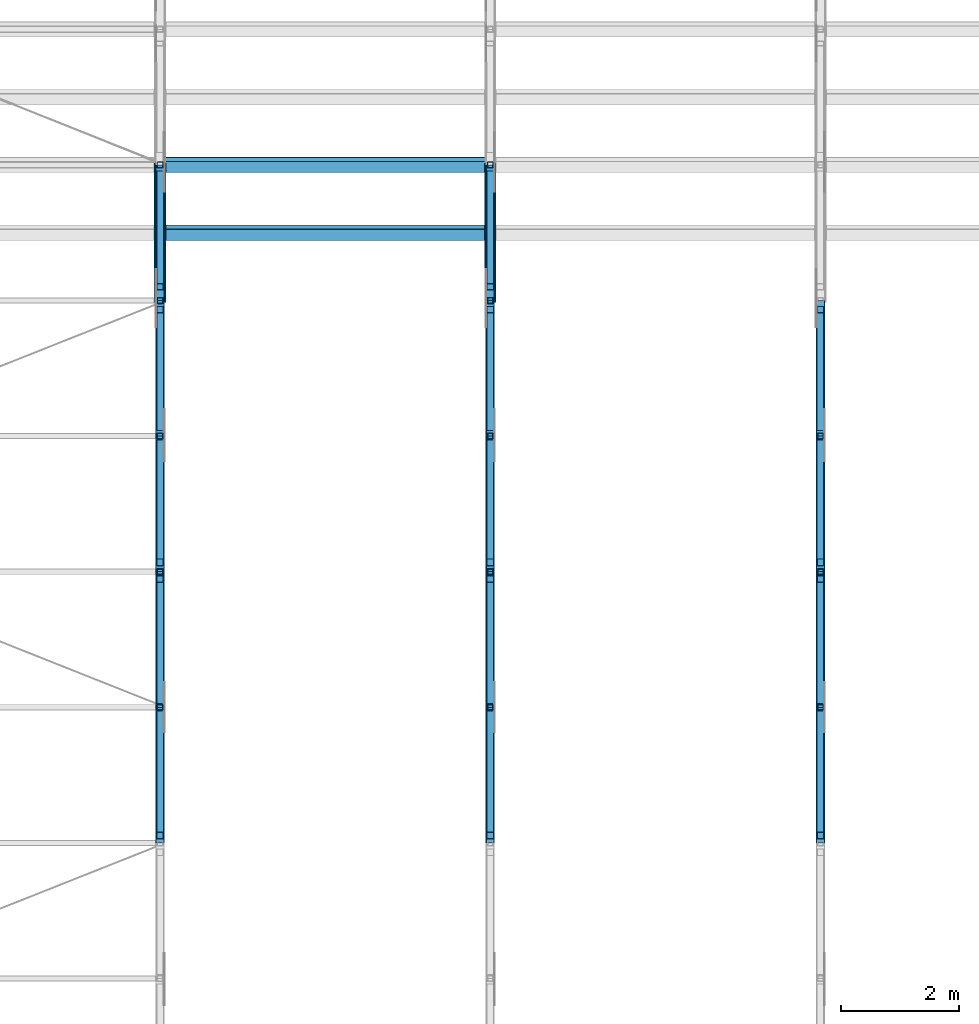
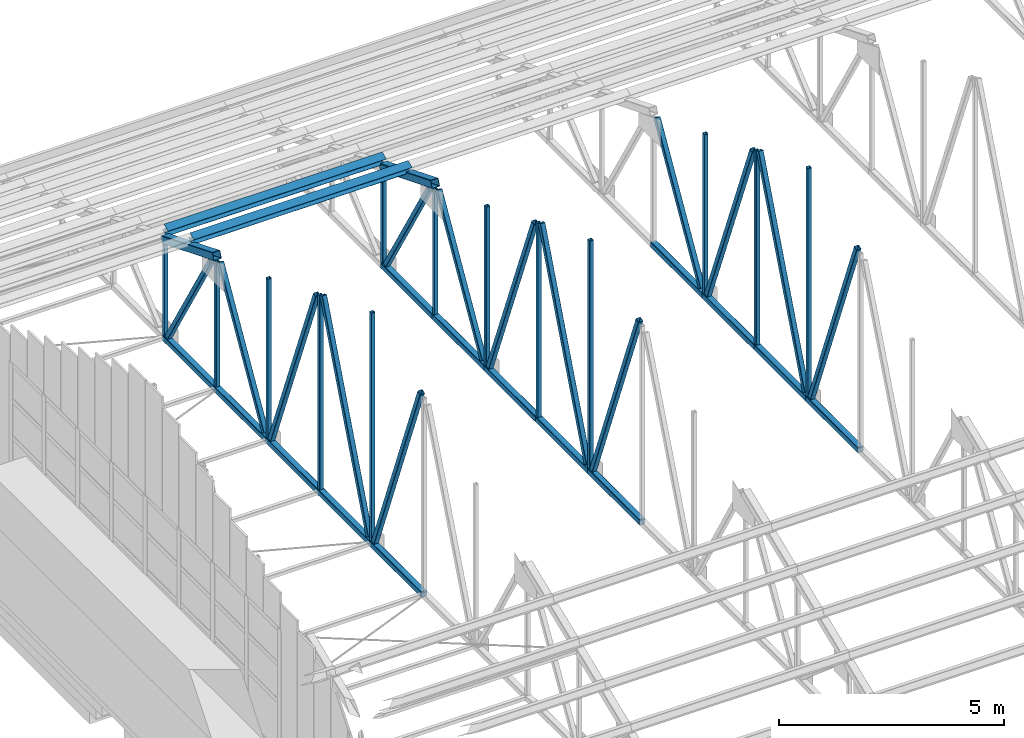
# One storey, part 12 of 71: 45 members.
"""IFC4 building model written with IfcOpenShell, lengths in metres."""

from ifc_helpers import new_model, si_unit, direction, frame, origin, origin_2d, place, context, subcontext, project, spatial, hollow_rectangle, i_section, extrude, material, material_profile, profile_set, type_object, element, save


model = new_model("IFC4")

# Units and contexts
model_context = context("Model", 3, precision=1e-05, world=origin(), true_north=direction((0.0, 1.0)))
body_context = subcontext(model_context, "Body", "Model", "MODEL_VIEW")
ifc_project = project(units=[si_unit("LENGTHUNIT", "METRE"), si_unit("AREAUNIT", "SQUARE_METRE"), si_unit("VOLUMEUNIT", "CUBIC_METRE"), si_unit("PLANEANGLEUNIT", "RADIAN"), si_unit("MASSUNIT", "GRAM", prefix="KILO")], contexts=[model_context])

# Site, building, storey
site_placement = place(None, origin())
site = spatial("IfcSite", under=ifc_project, at=site_placement, CompositionType="ELEMENT")
building_placement = place(site_placement, origin())
building = spatial("IfcBuilding", under=site, at=building_placement, Name="Wasatch Bagh Community Centre", CompositionType="ELEMENT")
storey_placement = place(building_placement, frame((0.0, 0.0, 12.60009765625)))
storey = spatial("IfcBuildingStorey", under=building, at=storey_placement, Name="L03", CompositionType="ELEMENT", Elevation=12.60009765625)

# Members
ifc_material_1 = material(Name="ASTM A500 Grade C steel", Category="steel")
ifc_material_profile_1 = material_profile(ifc_material_1, hollow_rectangle(XDim=0.1015625, YDim=0.1015625, WallThickness=0.005859375, InnerFilletRadius=0.005859375, OuterFilletRadius=0.01171875, at=origin_2d()), Name="HSS4x4x1/4")
ifc_profile_set_1 = profile_set([ifc_material_profile_1], Name="ASTM A500 Grade C steel")
member_type_1 = type_object("IfcMemberType", Name="SH HSS4x4x1/4 post", PredefinedType="POST", material=ifc_profile_set_1)
member_1_placement = place(storey_placement, frame((117.800048828125, 52.0, 0.76220703125), z_axis=(0.0, 0.0, 1.0), x_axis=(1.0, 0.0, 0.0)))
element("IfcMember", 1, at=member_1_placement, inside=storey, type_object=member_type_1, Name="SH.SA2.PS07", PredefinedType="POST", context=body_context, shape_type="SweptSolid", body=[
    extrude(hollow_rectangle(XDim=0.1015625, YDim=0.1015625, WallThickness=0.005859375, InnerFilletRadius=0.005859375, OuterFilletRadius=0.01171875, at=origin_2d()), origin(), (0.0, 0.0, 1.0), 6.18310546875),
])
member_2_placement = place(storey_placement, frame((117.800048828125, 54.300048828125, 0.76220703125), z_axis=(0.0, 0.0, 1.0), x_axis=(1.0, 0.0, 0.0)))
element("IfcMember", 2, at=member_2_placement, inside=storey, type_object=member_type_1, Name="SH.SA2.PS08", PredefinedType="POST", context=body_context, shape_type="SweptSolid", body=[
    extrude(hollow_rectangle(XDim=0.1015625, YDim=0.1015625, WallThickness=0.005859375, InnerFilletRadius=0.005859375, OuterFilletRadius=0.01171875, at=origin_2d()), origin(), (0.0, 0.0, 1.0), 5.25341796875),
])
member_3_placement = place(storey_placement, frame((117.800048828125, 56.60009765625, 0.76220703125), z_axis=(0.0, 0.0, 1.0), x_axis=(1.0, 0.0, 0.0)))
element("IfcMember", 3, at=member_3_placement, inside=storey, type_object=member_type_1, Name="SH.SA2.PS09", PredefinedType="POST", context=body_context, shape_type="SweptSolid", body=[
    extrude(hollow_rectangle(XDim=0.1015625, YDim=0.1015625, WallThickness=0.005859375, InnerFilletRadius=0.005859375, OuterFilletRadius=0.01171875, at=origin_2d()), origin(), (0.0, 0.0, 1.0), 4.316162109375),
])
member_4_placement = place(storey_placement, frame((117.800048828125, 58.89990234375, 0.76220703125), z_axis=(0.0, 0.0, 1.0), x_axis=(1.0, 0.0, 0.0)))
element("IfcMember", 4, at=member_4_placement, inside=storey, type_object=member_type_1, Name="SH.SA2.PS10", PredefinedType="POST", context=body_context, shape_type="SweptSolid", body=[
    extrude(hollow_rectangle(XDim=0.1015625, YDim=0.1015625, WallThickness=0.005859375, InnerFilletRadius=0.005859375, OuterFilletRadius=0.01171875, at=origin_2d()), origin(), (0.0, 0.0, 1.0), 3.37890625),
])
member_5_placement = place(storey_placement, frame((117.800048828125, 61.199951171875, 0.76220703125), z_axis=(0.0, 0.0, 1.0), x_axis=(1.0, 0.0, 0.0)))
element("IfcMember", 5, at=member_5_placement, inside=storey, type_object=member_type_1, Name="SH.SA2.PS11", PredefinedType="POST", context=body_context, shape_type="SweptSolid", body=[
    extrude(hollow_rectangle(XDim=0.1015625, YDim=0.1015625, WallThickness=0.005859375, InnerFilletRadius=0.005859375, OuterFilletRadius=0.01171875, at=origin_2d()), origin(), (0.0, 0.0, 1.0), 2.44189453125),
])
member_6_placement = place(storey_placement, frame((123.39990234375, 52.0, 0.76220703125), z_axis=(0.0, 0.0, 1.0), x_axis=(1.0, 0.0, 0.0)))
element("IfcMember", 6, at=member_6_placement, inside=storey, type_object=member_type_1, Name="SH.SA3.PS07", PredefinedType="POST", context=body_context, shape_type="SweptSolid", body=[
    extrude(hollow_rectangle(XDim=0.1015625, YDim=0.1015625, WallThickness=0.005859375, InnerFilletRadius=0.005859375, OuterFilletRadius=0.01171875, at=origin_2d()), origin(), (0.0, 0.0, 1.0), 6.18310546875),
])
member_7_placement = place(storey_placement, frame((123.39990234375, 54.300048828125, 0.76220703125), z_axis=(0.0, 0.0, 1.0), x_axis=(1.0, 0.0, 0.0)))
element("IfcMember", 7, at=member_7_placement, inside=storey, type_object=member_type_1, Name="SH.SA3.PS08", PredefinedType="POST", context=body_context, shape_type="SweptSolid", body=[
    extrude(hollow_rectangle(XDim=0.1015625, YDim=0.1015625, WallThickness=0.005859375, InnerFilletRadius=0.005859375, OuterFilletRadius=0.01171875, at=origin_2d()), origin(), (0.0, 0.0, 1.0), 5.25341796875),
])
member_8_placement = place(storey_placement, frame((123.39990234375, 56.60009765625, 0.76220703125), z_axis=(0.0, 0.0, 1.0), x_axis=(1.0, 0.0, 0.0)))
element("IfcMember", 8, at=member_8_placement, inside=storey, type_object=member_type_1, Name="SH.SA3.PS09", PredefinedType="POST", context=body_context, shape_type="SweptSolid", body=[
    extrude(hollow_rectangle(XDim=0.1015625, YDim=0.1015625, WallThickness=0.005859375, InnerFilletRadius=0.005859375, OuterFilletRadius=0.01171875, at=origin_2d()), origin(), (0.0, 0.0, 1.0), 4.316162109375),
])
member_9_placement = place(storey_placement, frame((123.39990234375, 58.89990234375, 0.76220703125), z_axis=(0.0, 0.0, 1.0), x_axis=(1.0, 0.0, 0.0)))
element("IfcMember", 9, at=member_9_placement, inside=storey, type_object=member_type_1, Name="SH.SA3.PS10", PredefinedType="POST", context=body_context, shape_type="SweptSolid", body=[
    extrude(hollow_rectangle(XDim=0.1015625, YDim=0.1015625, WallThickness=0.005859375, InnerFilletRadius=0.005859375, OuterFilletRadius=0.01171875, at=origin_2d()), origin(), (0.0, 0.0, 1.0), 3.37890625),
])
member_10_placement = place(storey_placement, frame((123.39990234375, 61.199951171875, 0.76220703125), z_axis=(0.0, 0.0, 1.0), x_axis=(1.0, 0.0, 0.0)))
element("IfcMember", 10, at=member_10_placement, inside=storey, type_object=member_type_1, Name="SH.SA3.PS11", PredefinedType="POST", context=body_context, shape_type="SweptSolid", body=[
    extrude(hollow_rectangle(XDim=0.1015625, YDim=0.1015625, WallThickness=0.005859375, InnerFilletRadius=0.005859375, OuterFilletRadius=0.01171875, at=origin_2d()), origin(), (0.0, 0.0, 1.0), 2.44189453125),
])
member_11_placement = place(storey_placement, frame((129.0, 52.0, 0.76220703125), z_axis=(0.0, 0.0, 1.0), x_axis=(1.0, 0.0, 0.0)))
element("IfcMember", 11, at=member_11_placement, inside=storey, type_object=member_type_1, Name="SH.SA4.PS07", PredefinedType="POST", context=body_context, shape_type="SweptSolid", body=[
    extrude(hollow_rectangle(XDim=0.1015625, YDim=0.1015625, WallThickness=0.005859375, InnerFilletRadius=0.005859375, OuterFilletRadius=0.01171875, at=origin_2d()), origin(), (0.0, 0.0, 1.0), 6.18310546875),
])
member_12_placement = place(storey_placement, frame((129.0, 54.300048828125, 0.76220703125), z_axis=(0.0, 0.0, 1.0), x_axis=(1.0, 0.0, 0.0)))
element("IfcMember", 12, at=member_12_placement, inside=storey, type_object=member_type_1, Name="SH.SA4.PS08", PredefinedType="POST", context=body_context, shape_type="SweptSolid", body=[
    extrude(hollow_rectangle(XDim=0.1015625, YDim=0.1015625, WallThickness=0.005859375, InnerFilletRadius=0.005859375, OuterFilletRadius=0.01171875, at=origin_2d()), origin(), (0.0, 0.0, 1.0), 5.25341796875),
])
member_13_placement = place(storey_placement, frame((129.0, 56.60009765625, 0.76220703125), z_axis=(0.0, 0.0, 1.0), x_axis=(1.0, 0.0, 0.0)))
element("IfcMember", 13, at=member_13_placement, inside=storey, type_object=member_type_1, Name="SH.SA4.PS09", PredefinedType="POST", context=body_context, shape_type="SweptSolid", body=[
    extrude(hollow_rectangle(XDim=0.1015625, YDim=0.1015625, WallThickness=0.005859375, InnerFilletRadius=0.005859375, OuterFilletRadius=0.01171875, at=origin_2d()), origin(), (0.0, 0.0, 1.0), 4.316162109375),
])
ifc_material_profile_2 = material_profile(ifc_material_1, hollow_rectangle(XDim=0.126953125, YDim=0.126953125, WallThickness=0.00732421875, InnerFilletRadius=0.00732421875, OuterFilletRadius=0.0146484375, at=origin_2d()), Name="HSS5x5x5/16")
ifc_profile_set_2 = profile_set([ifc_material_profile_2], Name="ASTM A500 Grade C steel")
member_type_2 = type_object("IfcMemberType", Name="SH HSS5x5x5/16 brace", PredefinedType="BRACE", material=ifc_profile_set_2)
for number, where, z_axis, x_axis, name in (
    (14, (117.800048828125, 51.875732421875, 0.78564453125), (0.0, -0.361168854057, 0.932500433705), (1.0, 0.0, 0.0), "SH.SA2.WB06"),
    (15, (117.800048828125, 52.124267578125, 0.78564453125), (0.0, 0.361168854057, 0.932500433705), (-1.0, 0.0, 0.0), "SH.SA2.WB07"),
):
    element("IfcMember", number, at=place(storey_placement, frame(where, z_axis=z_axis, x_axis=x_axis)), inside=storey, type_object=member_type_2, Name=name, PredefinedType="BRACE", context=body_context, shape_type="SweptSolid", body=[
        extrude(hollow_rectangle(XDim=0.126953125, YDim=0.126953125, WallThickness=0.00732421875, InnerFilletRadius=0.00732421875, OuterFilletRadius=0.0146484375, at=origin_2d()), origin(), (0.0, 0.0, 1.0), 5.682861328125),
    ])
member_14_placement = place(storey_placement, frame((117.800048828125, 56.47509765625, 0.785888671875), z_axis=(0.0, -0.365198017435, 0.930929862053), x_axis=(1.0, 0.0, 0.0)))
element("IfcMember", 16, at=member_14_placement, inside=storey, type_object=member_type_2, Name="SH.SA2.WB08", PredefinedType="BRACE", context=body_context, shape_type="SweptSolid", body=[
    extrude(hollow_rectangle(XDim=0.126953125, YDim=0.126953125, WallThickness=0.00732421875, InnerFilletRadius=0.00732421875, OuterFilletRadius=0.0146484375, at=origin_2d()), origin(), (0.0, 0.0, 1.0), 5.52001953125),
])
member_15_placement = place(storey_placement, frame((117.800048828125, 56.75244140625, 0.794677734375), z_axis=(0.0, 0.50383651599, 0.863799030536), x_axis=(-1.0, 0.0, 0.0)))
element("IfcMember", 17, at=member_15_placement, inside=storey, type_object=member_type_2, Name="SH.SA2.WB09", PredefinedType="BRACE", context=body_context, shape_type="SweptSolid", body=[
    extrude(hollow_rectangle(XDim=0.126953125, YDim=0.126953125, WallThickness=0.00732421875, InnerFilletRadius=0.00732421875, OuterFilletRadius=0.0146484375, at=origin_2d()), origin(), (0.0, 0.0, 1.0), 3.958984375),
])
member_16_placement = place(storey_placement, frame((117.800048828125, 61.046142578125, 0.795166015625), z_axis=(0.0, -0.5113669513, 0.859362462014), x_axis=(1.0, 0.0, 0.0)))
element("IfcMember", 18, at=member_16_placement, inside=storey, type_object=member_type_2, Name="SH.SA2.WB10", PredefinedType="BRACE", context=body_context, shape_type="SweptSolid", body=[
    extrude(hollow_rectangle(XDim=0.126953125, YDim=0.126953125, WallThickness=0.00732421875, InnerFilletRadius=0.00732421875, OuterFilletRadius=0.0146484375, at=origin_2d()), origin(), (0.0, 0.0, 1.0), 3.744873046875),
])
for number, where, z_axis, x_axis, name in (
    (19, (123.39990234375, 51.875732421875, 0.78564453125), (0.0, -0.361168854057, 0.932500433705), (1.0, 0.0, 0.0), "SH.SA3.WB06"),
    (20, (123.39990234375, 52.124267578125, 0.78564453125), (0.0, 0.361168854057, 0.932500433705), (-1.0, 0.0, 0.0), "SH.SA3.WB07"),
):
    element("IfcMember", number, at=place(storey_placement, frame(where, z_axis=z_axis, x_axis=x_axis)), inside=storey, type_object=member_type_2, Name=name, PredefinedType="BRACE", context=body_context, shape_type="SweptSolid", body=[
        extrude(hollow_rectangle(XDim=0.126953125, YDim=0.126953125, WallThickness=0.00732421875, InnerFilletRadius=0.00732421875, OuterFilletRadius=0.0146484375, at=origin_2d()), origin(), (0.0, 0.0, 1.0), 5.682861328125),
    ])
member_17_placement = place(storey_placement, frame((123.39990234375, 56.47509765625, 0.785888671875), z_axis=(0.0, -0.365198017435, 0.930929862053), x_axis=(1.0, 0.0, 0.0)))
element("IfcMember", 21, at=member_17_placement, inside=storey, type_object=member_type_2, Name="SH.SA3.WB08", PredefinedType="BRACE", context=body_context, shape_type="SweptSolid", body=[
    extrude(hollow_rectangle(XDim=0.126953125, YDim=0.126953125, WallThickness=0.00732421875, InnerFilletRadius=0.00732421875, OuterFilletRadius=0.0146484375, at=origin_2d()), origin(), (0.0, 0.0, 1.0), 5.52001953125),
])
member_18_placement = place(storey_placement, frame((123.39990234375, 56.75244140625, 0.794677734375), z_axis=(0.0, 0.50383651599, 0.863799030536), x_axis=(-1.0, 0.0, 0.0)))
element("IfcMember", 22, at=member_18_placement, inside=storey, type_object=member_type_2, Name="SH.SA3.WB09", PredefinedType="BRACE", context=body_context, shape_type="SweptSolid", body=[
    extrude(hollow_rectangle(XDim=0.126953125, YDim=0.126953125, WallThickness=0.00732421875, InnerFilletRadius=0.00732421875, OuterFilletRadius=0.0146484375, at=origin_2d()), origin(), (0.0, 0.0, 1.0), 3.958984375),
])
member_19_placement = place(storey_placement, frame((123.39990234375, 61.046142578125, 0.795166015625), z_axis=(0.0, -0.5113669513, 0.859362462014), x_axis=(1.0, 0.0, 0.0)))
element("IfcMember", 23, at=member_19_placement, inside=storey, type_object=member_type_2, Name="SH.SA3.WB10", PredefinedType="BRACE", context=body_context, shape_type="SweptSolid", body=[
    extrude(hollow_rectangle(XDim=0.126953125, YDim=0.126953125, WallThickness=0.00732421875, InnerFilletRadius=0.00732421875, OuterFilletRadius=0.0146484375, at=origin_2d()), origin(), (0.0, 0.0, 1.0), 3.744873046875),
])
for number, where, z_axis, x_axis, name in (
    (24, (129.0, 51.875732421875, 0.78564453125), (0.0, -0.361168854057, 0.932500433705), (1.0, 0.0, 0.0), "SH.SA4.WB06"),
    (25, (129.0, 52.124267578125, 0.78564453125), (0.0, 0.361168854057, 0.932500433705), (-1.0, 0.0, 0.0), "SH.SA4.WB07"),
):
    element("IfcMember", number, at=place(storey_placement, frame(where, z_axis=z_axis, x_axis=x_axis)), inside=storey, type_object=member_type_2, Name=name, PredefinedType="BRACE", context=body_context, shape_type="SweptSolid", body=[
        extrude(hollow_rectangle(XDim=0.126953125, YDim=0.126953125, WallThickness=0.00732421875, InnerFilletRadius=0.00732421875, OuterFilletRadius=0.0146484375, at=origin_2d()), origin(), (0.0, 0.0, 1.0), 5.682861328125),
    ])
member_20_placement = place(storey_placement, frame((129.0, 56.47509765625, 0.785888671875), z_axis=(0.0, -0.365198017435, 0.930929862053), x_axis=(1.0, 0.0, 0.0)))
element("IfcMember", 26, at=member_20_placement, inside=storey, type_object=member_type_2, Name="SH.SA4.WB08", PredefinedType="BRACE", context=body_context, shape_type="SweptSolid", body=[
    extrude(hollow_rectangle(XDim=0.126953125, YDim=0.126953125, WallThickness=0.00732421875, InnerFilletRadius=0.00732421875, OuterFilletRadius=0.0146484375, at=origin_2d()), origin(), (0.0, 0.0, 1.0), 5.52001953125),
])
member_21_placement = place(storey_placement, frame((129.0, 56.75244140625, 0.794677734375), z_axis=(0.0, 0.50383651599, 0.863799030536), x_axis=(-1.0, 0.0, 0.0)))
element("IfcMember", 27, at=member_21_placement, inside=storey, type_object=member_type_2, Name="SH.SA4.WB09", PredefinedType="BRACE", context=body_context, shape_type="SweptSolid", body=[
    extrude(hollow_rectangle(XDim=0.126953125, YDim=0.126953125, WallThickness=0.00732421875, InnerFilletRadius=0.00732421875, OuterFilletRadius=0.0146484375, at=origin_2d()), origin(), (0.0, 0.0, 1.0), 3.958984375),
])
ifc_material_profile_3 = material_profile(ifc_material_1, hollow_rectangle(XDim=0.15234375, YDim=0.15234375, WallThickness=0.0087890625, InnerFilletRadius=0.0087890625, OuterFilletRadius=0.017822265625, at=origin_2d()), Name="HSS6x6x3/8")
ifc_profile_set_3 = profile_set([ifc_material_profile_3], Name="ASTM A500 Grade C steel")
member_type_3 = type_object("IfcMemberType", Name="SH HSS6x6x3/8 chord", PredefinedType="CHORD", material=ifc_profile_set_3)
for number, where, z_axis, x_axis, name in (
    (28, (117.800048828125, 49.699951171875, 0.68603515625), (0.0, 1.0, 0.0), (-1.0, 0.0, 0.0), "SH.SA2.BC06"),
    (29, (117.800048828125, 52.0, 0.68603515625), (0.0, 1.0, 0.0), (-1.0, 0.0, 0.0), "SH.SA2.BC07"),
    (30, (117.800048828125, 54.300048828125, 0.68603515625), (0.0, 1.0, 0.0), (-1.0, 0.0, 0.0), "SH.SA2.BC08"),
):
    element("IfcMember", number, at=place(storey_placement, frame(where, z_axis=z_axis, x_axis=x_axis)), inside=storey, type_object=member_type_3, Name=name, PredefinedType="CHORD", context=body_context, shape_type="SweptSolid", body=[
        extrude(hollow_rectangle(XDim=0.15234375, YDim=0.15234375, WallThickness=0.0087890625, InnerFilletRadius=0.0087890625, OuterFilletRadius=0.017822265625, at=origin_2d()), origin(), (0.0, 0.0, 1.0), 2.300048828125),
    ])
member_22_placement = place(storey_placement, frame((117.800048828125, 56.60009765625, 0.68603515625), z_axis=(0.0, 1.0, 0.0), x_axis=(-1.0, 0.0, 0.0)))
element("IfcMember", 31, at=member_22_placement, inside=storey, type_object=member_type_3, Name="SH.SA2.BC09", PredefinedType="CHORD", context=body_context, shape_type="SweptSolid", body=[
    extrude(hollow_rectangle(XDim=0.15234375, YDim=0.15234375, WallThickness=0.0087890625, InnerFilletRadius=0.0087890625, OuterFilletRadius=0.017822265625, at=origin_2d()), origin(), (0.0, 0.0, 1.0), 2.2998046875),
])
for number, where, z_axis, x_axis, name in (
    (32, (117.800048828125, 58.89990234375, 0.68603515625), (0.0, 1.0, 0.0), (-1.0, 0.0, 0.0), "SH.SA2.BC10"),
    (33, (123.39990234375, 49.699951171875, 0.68603515625), (0.0, 1.0, 0.0), (-1.0, 0.0, 0.0), "SH.SA3.BC06"),
    (34, (123.39990234375, 52.0, 0.68603515625), (0.0, 1.0, 0.0), (-1.0, 0.0, 0.0), "SH.SA3.BC07"),
    (35, (123.39990234375, 54.300048828125, 0.68603515625), (0.0, 1.0, 0.0), (-1.0, 0.0, 0.0), "SH.SA3.BC08"),
):
    element("IfcMember", number, at=place(storey_placement, frame(where, z_axis=z_axis, x_axis=x_axis)), inside=storey, type_object=member_type_3, Name=name, PredefinedType="CHORD", context=body_context, shape_type="SweptSolid", body=[
        extrude(hollow_rectangle(XDim=0.15234375, YDim=0.15234375, WallThickness=0.0087890625, InnerFilletRadius=0.0087890625, OuterFilletRadius=0.017822265625, at=origin_2d()), origin(), (0.0, 0.0, 1.0), 2.300048828125),
    ])
member_23_placement = place(storey_placement, frame((123.39990234375, 56.60009765625, 0.68603515625), z_axis=(0.0, 1.0, 0.0), x_axis=(-1.0, 0.0, 0.0)))
element("IfcMember", 36, at=member_23_placement, inside=storey, type_object=member_type_3, Name="SH.SA3.BC09", PredefinedType="CHORD", context=body_context, shape_type="SweptSolid", body=[
    extrude(hollow_rectangle(XDim=0.15234375, YDim=0.15234375, WallThickness=0.0087890625, InnerFilletRadius=0.0087890625, OuterFilletRadius=0.017822265625, at=origin_2d()), origin(), (0.0, 0.0, 1.0), 2.2998046875),
])
for number, where, z_axis, x_axis, name in (
    (37, (123.39990234375, 58.89990234375, 0.68603515625), (0.0, 1.0, 0.0), (-1.0, 0.0, 0.0), "SH.SA3.BC10"),
    (38, (129.0, 49.699951171875, 0.68603515625), (0.0, 1.0, 0.0), (-1.0, 0.0, 0.0), "SH.SA4.BC06"),
    (39, (129.0, 52.0, 0.68603515625), (0.0, 1.0, 0.0), (-1.0, 0.0, 0.0), "SH.SA4.BC07"),
    (40, (129.0, 54.300048828125, 0.68603515625), (0.0, 1.0, 0.0), (-1.0, 0.0, 0.0), "SH.SA4.BC08"),
):
    element("IfcMember", number, at=place(storey_placement, frame(where, z_axis=z_axis, x_axis=x_axis)), inside=storey, type_object=member_type_3, Name=name, PredefinedType="CHORD", context=body_context, shape_type="SweptSolid", body=[
        extrude(hollow_rectangle(XDim=0.15234375, YDim=0.15234375, WallThickness=0.0087890625, InnerFilletRadius=0.0087890625, OuterFilletRadius=0.017822265625, at=origin_2d()), origin(), (0.0, 0.0, 1.0), 2.300048828125),
    ])
member_24_placement = place(storey_placement, frame((129.0, 56.60009765625, 0.68603515625), z_axis=(0.0, 1.0, 0.0), x_axis=(-1.0, 0.0, 0.0)))
element("IfcMember", 41, at=member_24_placement, inside=storey, type_object=member_type_3, Name="SH.SA4.BC09", PredefinedType="CHORD", context=body_context, shape_type="SweptSolid", body=[
    extrude(hollow_rectangle(XDim=0.15234375, YDim=0.15234375, WallThickness=0.0087890625, InnerFilletRadius=0.0087890625, OuterFilletRadius=0.017822265625, at=origin_2d()), origin(), (0.0, 0.0, 1.0), 2.2998046875),
])
ifc_material_profile_4 = material_profile(ifc_material_1, hollow_rectangle(XDim=0.203125, YDim=0.203125, WallThickness=0.01171875, InnerFilletRadius=0.01171875, OuterFilletRadius=0.023681640625, at=origin_2d()), Name="HSS8x8x1/2")
ifc_profile_set_4 = profile_set([ifc_material_profile_4], Name="ASTM A500 Grade C steel")
member_type_4 = type_object("IfcMemberType", Name="SH HSS8x8x1/2 chord", PredefinedType="CHORD", material=ifc_profile_set_4)
for number, where, z_axis, x_axis, name in (
    (42, (117.800048828125, 58.900390625, 4.287841796875), (0.0, 0.92720830339, -0.374546074769), (-1.0, 0.0, 0.0), "SH.SA2.TC11"),
    (43, (123.39990234375, 58.900390625, 4.287841796875), (0.0, 0.92720830339, -0.374546074769), (-1.0, 0.0, 0.0), "SH.SA3.TC11"),
):
    element("IfcMember", number, at=place(storey_placement, frame(where, z_axis=z_axis, x_axis=x_axis)), inside=storey, type_object=member_type_4, Name=name, PredefinedType="CHORD", context=body_context, shape_type="SweptSolid", body=[
        extrude(hollow_rectangle(XDim=0.203125, YDim=0.203125, WallThickness=0.01171875, InnerFilletRadius=0.01171875, OuterFilletRadius=0.023681640625, at=origin_2d()), origin(), (0.0, 0.0, 1.0), 2.4794921875),
    ])
ifc_material_2 = material(Name="ASTM A992 Grade 50 steel", Category="steel")
ifc_material_profile_5 = material_profile(ifc_material_2, i_section(OverallWidth=0.203125, OverallDepth=0.203125, WebThickness=0.00732421875, FlangeThickness=0.010986328125, at=origin_2d()), Name="W8x31")
ifc_profile_set_5 = profile_set([ifc_material_profile_5], Name="ASTM A992 Grade 50 steel")
member_type_5 = type_object("IfcMemberType", Name="SH W8x31 purlin", PredefinedType="PURLIN", material=ifc_profile_set_5)
for number, where, z_axis, x_axis, name in (
    (44, (117.800048828125, 60.050048828125, 4.042724609375), (1.0, 0.0, 0.0), (0.0, 0.927183854567, 0.374606593416), "SH.PUR.b2.PU23"),
    (45, (117.800048828125, 61.199951171875, 3.577880859375), (1.0, 0.0, 0.0), (0.0, 0.927183854567, 0.374606593416), "SH.PUR.b2.PU24"),
):
    element("IfcMember", number, at=place(storey_placement, frame(where, z_axis=z_axis, x_axis=x_axis)), inside=storey, type_object=member_type_5, Name=name, PredefinedType="PURLIN", context=body_context, shape_type="SweptSolid", body=[
        extrude(i_section(OverallWidth=0.203125, OverallDepth=0.203125, WebThickness=0.00732421875, FlangeThickness=0.010986328125, at=origin_2d()), origin(), (0.0, 0.0, 1.0), 5.599853515625),
    ])

save(model, "model.ifc")
